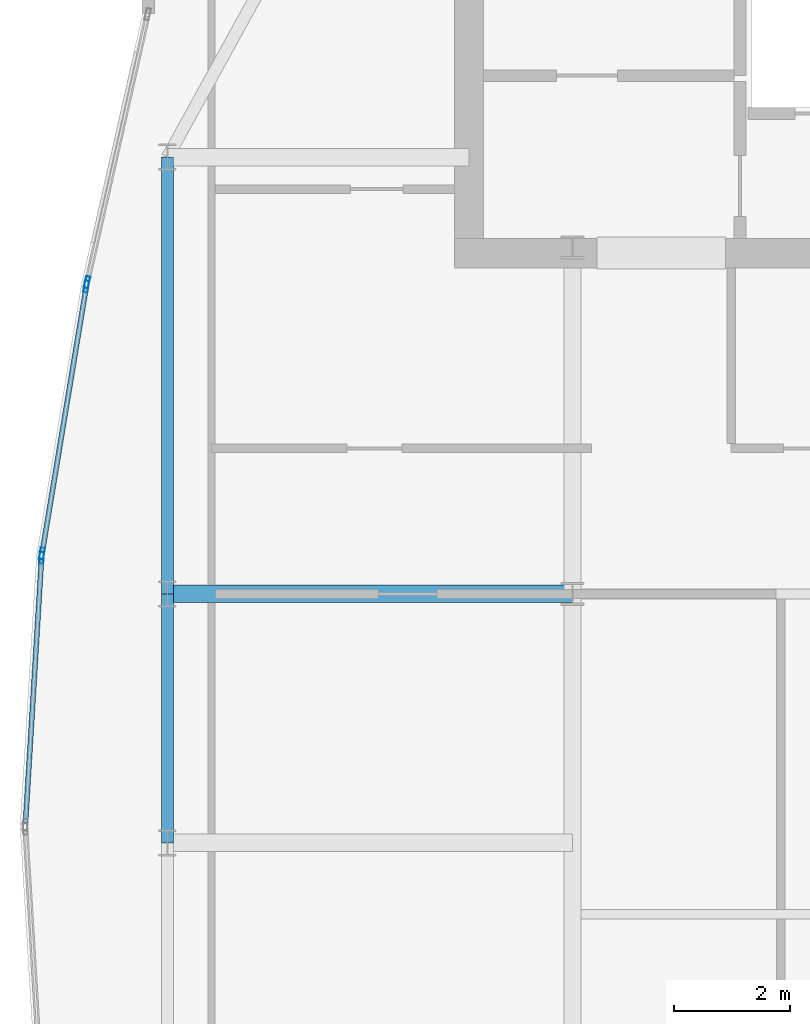
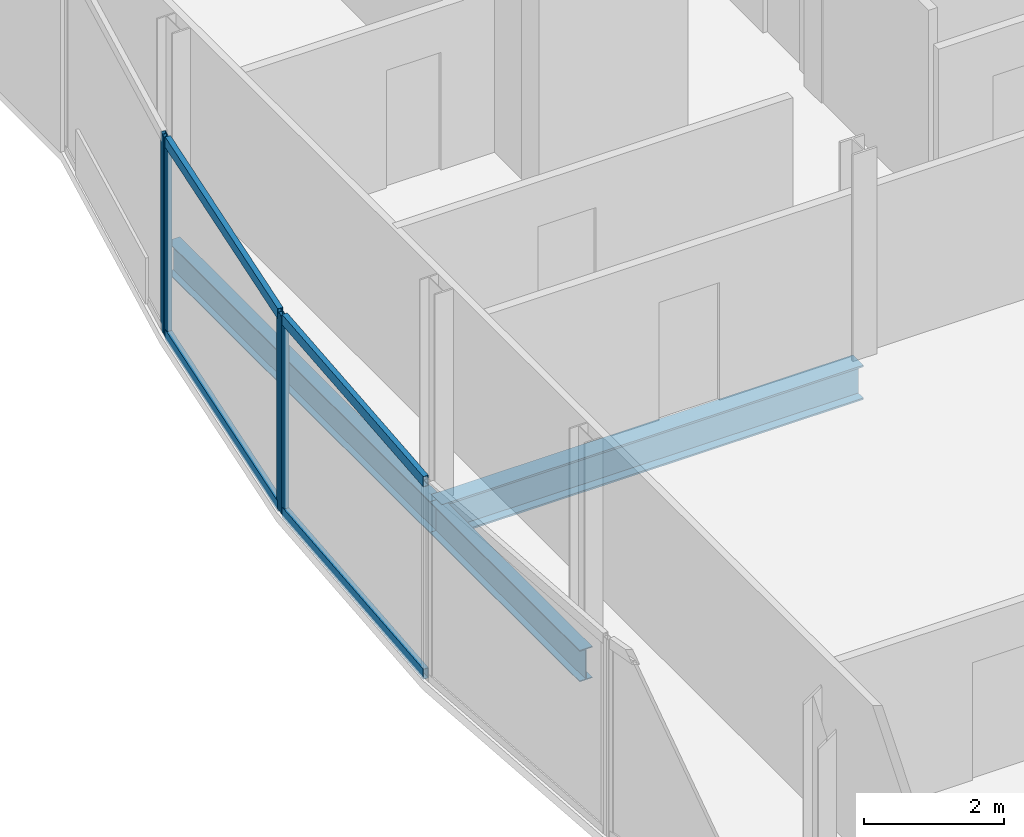
# One storey, part 12 of 29: 8 members, 3 beams, 3 elements without a shape of their own.
"""IFC4 building model written with IfcOpenShell, lengths in metres."""

from ifc_helpers import new_model, si_unit, direction, frame, origin, origin_2d, place, context, subcontext, project, spatial, hollow_rectangle, i_section, extrude, material, material_profile, profile_set, type_object, element, aggregate, save


model = new_model("IFC4")

# Units and contexts
model_context = context("Model", 3, precision=1e-05, world=origin(), true_north=direction((0.0, 1.0)))
body_context = subcontext(model_context, "Body", "Model", "MODEL_VIEW")
ifc_project = project(units=[si_unit("LENGTHUNIT", "METRE"), si_unit("AREAUNIT", "SQUARE_METRE"), si_unit("VOLUMEUNIT", "CUBIC_METRE"), si_unit("PLANEANGLEUNIT", "RADIAN"), si_unit("MASSUNIT", "GRAM", prefix="KILO")], contexts=[model_context])

# Site, building, storey
site_placement = place(None, origin())
site = spatial("IfcSite", under=ifc_project, at=site_placement, CompositionType="ELEMENT")
building_placement = place(site_placement, origin())
building = spatial("IfcBuilding", under=site, at=building_placement, Name="Khoronbel Lancet Exchange", CompositionType="ELEMENT")
storey_placement = place(building_placement, frame((0.0, 0.0, 318.199951171875)))
storey = spatial("IfcBuildingStorey", under=building, at=storey_placement, Name="L82", CompositionType="ELEMENT", Elevation=318.199951171875)

# Beams
ifc_material_1 = material(Name="Steel S355", Category="steel")
ifc_material_profile_1 = material_profile(ifc_material_1, i_section(OverallWidth=0.300048828125, OverallDepth=0.60009765625, WebThickness=0.015380859375, FlangeThickness=0.030029296875, at=origin_2d()), Name="HEB 600")
ifc_profile_set_1 = profile_set([ifc_material_profile_1], Name="Steel S355")
beam_type_1 = type_object("IfcBeamType", Name="BM-BG5", PredefinedType="BEAM", material=ifc_profile_set_1)
beam_1_placement = place(storey_placement, frame((11.27001953125, 35.699951171875, -0.4599609375), z_axis=(1.0, 0.0, 0.0), x_axis=(0.0, 1.0, 0.0)))
element("IfcBeam", 1, at=beam_1_placement, inside=storey, type_object=beam_type_1, Name="Level L82 west lens tie girder LG4W", PredefinedType="BEAM", context=body_context, shape_type="SweptSolid", body=[
    extrude(i_section(OverallWidth=0.300048828125, OverallDepth=0.60009765625, WebThickness=0.015380859375, FlangeThickness=0.030029296875, at=origin_2d()), origin(), (0.0, 0.0, 1.0), 6.955078125),
])
ifc_material_profile_2 = material_profile(ifc_material_1, i_section(OverallWidth=0.2099609375, OverallDepth=0.550048828125, WebThickness=0.010986328125, FlangeThickness=0.01708984375, at=origin_2d()), Name="IPE 550")
ifc_profile_set_2 = profile_set([ifc_material_profile_2], Name="Steel S355")
beam_type_2 = type_object("IfcBeamType", Name="BM-BSP3", PredefinedType="SPANDREL", material=ifc_profile_set_2)
beam_2_placement = place(storey_placement, frame((11.27001953125, 43.199951171875, -0.43505859375), z_axis=(0.0, -1.0, 0.0), x_axis=(1.0, 0.0, 0.0)))
element("IfcBeam", 2, at=beam_2_placement, inside=storey, type_object=beam_type_2, Name="Level L82 perimeter spandrel beam SP15", PredefinedType="SPANDREL", context=body_context, shape_type="SweptSolid", body=[
    extrude(i_section(OverallWidth=0.2099609375, OverallDepth=0.550048828125, WebThickness=0.010986328125, FlangeThickness=0.01708984375, at=origin_2d()), origin(), (0.0, 0.0, 1.0), 7.5),
])
beam_3_placement = place(storey_placement, frame((11.27001953125, 35.699951171875, -0.43505859375), z_axis=(0.0, -1.0, 0.0), x_axis=(1.0, 0.0, 0.0)))
element("IfcBeam", 3, at=beam_3_placement, inside=storey, type_object=beam_type_2, Name="Level L82 perimeter spandrel beam SP16", PredefinedType="SPANDREL", context=body_context, shape_type="SweptSolid", body=[
    extrude(i_section(OverallWidth=0.2099609375, OverallDepth=0.550048828125, WebThickness=0.010986328125, FlangeThickness=0.01708984375, at=origin_2d()), origin(), (0.0, 0.0, 1.0), 4.27490234375),
])

# Curtain wall, member
ifc_material_2 = material(Name="Low-E Solar Control Insulating Glass", Category="glass")
curtain_wall_type = type_object("IfcCurtainWallType", Name="CW-4", PredefinedType="NOTDEFINED", material=ifc_material_2)
curtain_wall_1_placement = place(storey_placement, origin())
curtain_wall_1 = element("IfcCurtainWall", 4, at=curtain_wall_1_placement, inside=storey, type_object=curtain_wall_type, Name="Unitised curtain wall CW-L82-E07", PredefinedType="NOTDEFINED")
ifc_material_3 = material(Name="Bronze-Anodised Aluminium 6063-T6", Category="aluminium")
ifc_material_profile_3 = material_profile(ifc_material_3, hollow_rectangle(XDim=0.074951171875, YDim=0.199951171875, WallThickness=0.0048828125, at=origin_2d()), Name="ALU MULLION 75x200")
ifc_profile_set_3 = profile_set([ifc_material_profile_3], Name="Bronze-Anodised Aluminium 6063-T6")
member_type_1 = type_object("IfcMemberType", Name="MEM-CWM2", PredefinedType="MULLION", material=ifc_profile_set_3)
member_1_placement = place(storey_placement, frame((9.10791015625, 36.319091796875, 0.0), z_axis=(0.0, 0.0, 1.0), x_axis=(-0.998166142481, 0.06053389138, 0.0)))
member_1 = element("IfcMember", 5, at=member_1_placement, type_object=member_type_1, Name="CW4 mullion 2", PredefinedType="MULLION", context=body_context, shape_type="SweptSolid", body=[
    extrude(hollow_rectangle(XDim=0.074951171875, YDim=0.199951171875, WallThickness=0.0048828125, at=origin_2d()), origin(), (0.0, 0.0, 1.0), 3.43994140625),
])

# Curtain wall, members
curtain_wall_2_placement = place(storey_placement, origin())
curtain_wall_2 = element("IfcCurtainWall", 6, at=curtain_wall_2_placement, inside=storey, type_object=curtain_wall_type, Name="Unitised curtain wall CW-L82-E08", PredefinedType="NOTDEFINED")
member_2_placement = place(storey_placement, frame((9.1162109375, 36.3935546875, 0.0), z_axis=(0.0, 0.0, 1.0), x_axis=(-0.986546857696, 0.163478737362, 0.0)))
member_2 = element("IfcMember", 7, at=member_2_placement, type_object=member_type_1, Name="CW4 mullion 1", PredefinedType="MULLION", context=body_context, shape_type="SweptSolid", body=[
    extrude(hollow_rectangle(XDim=0.074951171875, YDim=0.199951171875, WallThickness=0.0048828125, at=origin_2d()), origin(), (0.0, 0.0, 1.0), 3.43994140625),
])
member_3_placement = place(storey_placement, frame((9.8759765625, 40.97900390625, 0.0), z_axis=(0.0, 0.0, 1.0), x_axis=(-0.986546857696, 0.163478737362, 0.0)))
member_3 = element("IfcMember", 8, at=member_3_placement, type_object=member_type_1, Name="CW4 mullion 2", PredefinedType="MULLION", context=body_context, shape_type="SweptSolid", body=[
    extrude(hollow_rectangle(XDim=0.074951171875, YDim=0.199951171875, WallThickness=0.0048828125, at=origin_2d()), origin(), (0.0, 0.0, 1.0), 3.43994140625),
])

# Curtain wall, member
curtain_wall_3_placement = place(storey_placement, origin())
curtain_wall_3 = element("IfcCurtainWall", 9, at=curtain_wall_3_placement, inside=storey, type_object=curtain_wall_type, Name="Unitised curtain wall CW-L82-E09", PredefinedType="NOTDEFINED")
member_4_placement = place(storey_placement, frame((9.890380859375, 41.052490234375, 0.0), z_axis=(0.0, 0.0, 1.0), x_axis=(-0.975333138033, 0.220738011804, 0.0)))
member_4 = element("IfcMember", 10, at=member_4_placement, type_object=member_type_1, Name="CW4 mullion 1", PredefinedType="MULLION", context=body_context, shape_type="SweptSolid", body=[
    extrude(hollow_rectangle(XDim=0.074951171875, YDim=0.199951171875, WallThickness=0.0048828125, at=origin_2d()), origin(), (0.0, 0.0, 1.0), 3.43994140625),
])
aggregate(curtain_wall_3, [member_4])

# Member
ifc_material_profile_4 = material_profile(ifc_material_3, hollow_rectangle(XDim=0.0849609375, YDim=0.179931640625, WallThickness=0.0048828125, at=origin_2d()), Name="ALU TRANSOM 85x180")
ifc_profile_set_4 = profile_set([ifc_material_profile_4], Name="Bronze-Anodised Aluminium 6063-T6")
member_type_2 = type_object("IfcMemberType", Name="MEM-CWT1", PredefinedType="USERDEFINED", material=ifc_profile_set_4)
member_5_placement = place(storey_placement, frame((8.832275390625, 31.77490234375, 0.04248046875), z_axis=(0.060506488225, 0.99816780397, 0.0), x_axis=(-0.99816780397, 0.060506488225, 0.0)))
member_5 = element("IfcMember", 11, at=member_5_placement, type_object=member_type_2, Name="CW4 transom 1.1", ObjectType="TRANSOM", PredefinedType="USERDEFINED", context=body_context, shape_type="SweptSolid", body=[
    extrude(hollow_rectangle(XDim=0.0849609375, YDim=0.179931640625, WallThickness=0.0048828125, at=origin_2d()), origin(), (0.0, 0.0, 1.0), 4.51513671875),
])

member_6_placement = place(storey_placement, frame((8.832275390625, 31.77490234375, 3.3974609375), z_axis=(0.060506488225, 0.99816780397, 0.0), x_axis=(-0.99816780397, 0.060506488225, 0.0)))
member_6 = element("IfcMember", 12, at=member_6_placement, type_object=member_type_2, Name="CW4 transom 1.2", ObjectType="TRANSOM", PredefinedType="USERDEFINED", context=body_context, shape_type="SweptSolid", body=[
    extrude(hollow_rectangle(XDim=0.0849609375, YDim=0.179931640625, WallThickness=0.0048828125, at=origin_2d()), origin(), (0.0, 0.0, 1.0), 4.51513671875),
])

aggregate(curtain_wall_1, [member_1, member_5, member_6])

member_7_placement = place(storey_placement, frame((9.122314453125, 36.4306640625, 0.04248046875), z_axis=(0.163481179728, 0.986546452974, 0.0), x_axis=(-0.986546452974, 0.163481179728, 0.0)))
member_7 = element("IfcMember", 13, at=member_7_placement, type_object=member_type_2, Name="CW4 transom 1.1", ObjectType="TRANSOM", PredefinedType="USERDEFINED", context=body_context, shape_type="SweptSolid", body=[
    extrude(hollow_rectangle(XDim=0.0849609375, YDim=0.179931640625, WallThickness=0.0048828125, at=origin_2d()), origin(), (0.0, 0.0, 1.0), 4.57275390625),
])

member_8_placement = place(storey_placement, frame((9.122314453125, 36.4306640625, 3.3974609375), z_axis=(0.163481179728, 0.986546452974, 0.0), x_axis=(-0.986546452974, 0.163481179728, 0.0)))
member_8 = element("IfcMember", 14, at=member_8_placement, type_object=member_type_2, Name="CW4 transom 1.2", ObjectType="TRANSOM", PredefinedType="USERDEFINED", context=body_context, shape_type="SweptSolid", body=[
    extrude(hollow_rectangle(XDim=0.0849609375, YDim=0.179931640625, WallThickness=0.0048828125, at=origin_2d()), origin(), (0.0, 0.0, 1.0), 4.57275390625),
])

aggregate(curtain_wall_2, [member_2, member_3, member_7, member_8])

save(model, "model.ifc")
